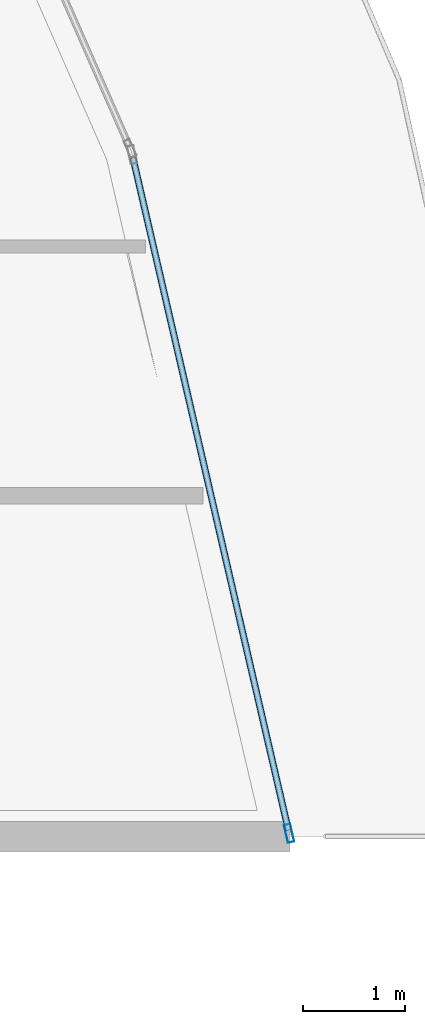
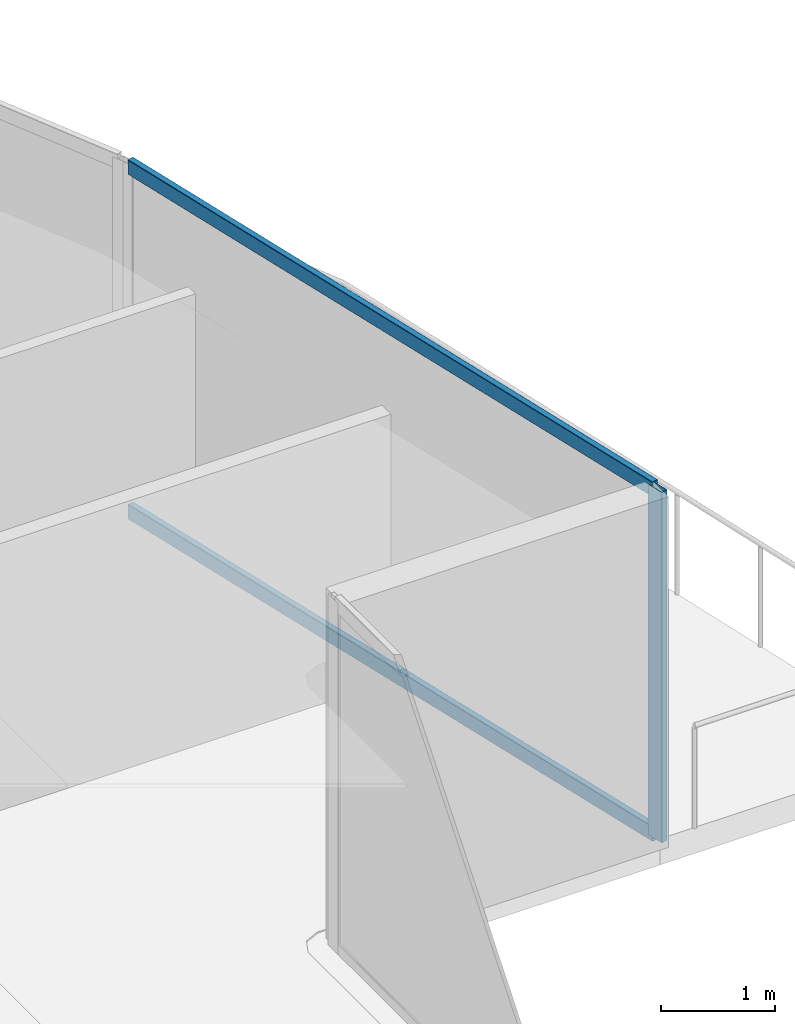
# One storey, part 26 of 45: 3 members, 1 element without a shape of its own.
"""IFC4 building model written with IfcOpenShell, lengths in metres."""

from ifc_helpers import new_model, si_unit, direction, frame, origin, origin_2d, place, context, subcontext, project, spatial, hollow_rectangle, extrude, material, layer, layer_set, material_profile, profile_set, type_object, element, aggregate, save


model = new_model("IFC4")

# Units and contexts
model_context = context("Model", 3, precision=1e-05, world=origin(), true_north=direction((0.0, 1.0)))
body_context = subcontext(model_context, "Body", "Model", "MODEL_VIEW")
ifc_project = project(units=[si_unit("LENGTHUNIT", "METRE"), si_unit("AREAUNIT", "SQUARE_METRE"), si_unit("VOLUMEUNIT", "CUBIC_METRE"), si_unit("PLANEANGLEUNIT", "RADIAN"), si_unit("MASSUNIT", "GRAM", prefix="KILO")], contexts=[model_context])

# Site, building, storey
site_placement = place(None, origin())
site = spatial("IfcSite", under=ifc_project, at=site_placement, CompositionType="ELEMENT")
building_placement = place(site_placement, origin())
building = spatial("IfcBuilding", under=site, at=building_placement, Name="Qorvath Tower", CompositionType="ELEMENT")
storey_placement = place(building_placement, frame((0.0, 0.0, 126.0)))
storey = spatial("IfcBuildingStorey", under=building, at=storey_placement, Name="L28", CompositionType="ELEMENT", Elevation=126.0)

# Curtain wall, members
ifc_material_1 = material(Name="Anodised aluminium and triple low-E glass", Category="aluminium")
ifc_layer = layer(ifc_material_1, 0.179931640625)
ifc_layer_set = layer_set([ifc_layer], Name="CW-SYS-2")
curtain_wall_type = type_object("IfcCurtainWallType", Name="CW-SYS-2", PredefinedType="NOTDEFINED", material=ifc_layer_set)
curtain_wall_placement = place(storey_placement, origin())
curtain_wall = element("IfcCurtainWall", 1, at=curtain_wall_placement, inside=storey, type_object=curtain_wall_type, Name="Curtain Wall CW-2 CW-T-L28-11.1", PredefinedType="NOTDEFINED")
ifc_material_2 = material(Name="Anodised aluminium 6063-T6", Category="aluminium")
ifc_material_profile_1 = material_profile(ifc_material_2, hollow_rectangle(XDim=0.06494140625, YDim=0.179931640625, WallThickness=0.00341796875, InnerFilletRadius=0.00341796875, OuterFilletRadius=0.007080078125, at=origin_2d()), Name="CWM 180x65")
ifc_profile_set_1 = profile_set([ifc_material_profile_1], Name="Anodised aluminium 6063-T6")
member_type_1 = type_object("IfcMemberType", Name="CWM-180", PredefinedType="MULLION", material=ifc_profile_set_1)
member_1_placement = place(storey_placement, frame((4.691650390625, 4.999755859375, 0.0), z_axis=(0.0, 0.0, 1.0), x_axis=(-0.974296356855, -0.225270080166, 0.0)))
member_1 = element("IfcMember", 2, at=member_1_placement, type_object=member_type_1, Name="CW-2 mullion 1", PredefinedType="MULLION", context=body_context, shape_type="SweptSolid", body=[
    extrude(hollow_rectangle(XDim=0.06494140625, YDim=0.179931640625, WallThickness=0.00341796875, InnerFilletRadius=0.00341796875, OuterFilletRadius=0.007080078125, at=origin_2d()), origin(), (0.0, 0.0, 1.0), 3.77001953125),
])
ifc_material_3 = material(Name="Anodised aluminium 6063-T6", Category="aluminium")
ifc_material_profile_2 = material_profile(ifc_material_3, hollow_rectangle(XDim=0.06494140625, YDim=0.159912109375, WallThickness=0.00341796875, InnerFilletRadius=0.00341796875, OuterFilletRadius=0.007080078125, at=origin_2d()), Name="CWT 160x65")
ifc_profile_set_2 = profile_set([ifc_material_profile_2], Name="Anodised aluminium 6063-T6")
member_type_2 = type_object("IfcMemberType", Name="CWT-160", PredefinedType="USERDEFINED", material=ifc_profile_set_2)
member_2_placement = place(storey_placement, frame((4.684326171875, 5.03125, 0.032470703125), z_axis=(-0.22526763041, 0.974296923268, 0.0), x_axis=(-0.974296923268, -0.22526763041, 0.0)))
member_2 = element("IfcMember", 3, at=member_2_placement, type_object=member_type_2, Name="CW-2 transom 1.1", ObjectType="TRANSOM", PredefinedType="USERDEFINED", context=body_context, shape_type="SweptSolid", body=[
    extrude(hollow_rectangle(XDim=0.06494140625, YDim=0.159912109375, WallThickness=0.00341796875, InnerFilletRadius=0.00341796875, OuterFilletRadius=0.007080078125, at=origin_2d()), origin(), (0.0, 0.0, 1.0), 6.771484375),
])
member_3_placement = place(storey_placement, frame((4.684326171875, 5.03125, 3.737548828125), z_axis=(-0.22526763041, 0.974296923268, 0.0), x_axis=(-0.974296923268, -0.22526763041, 0.0)))
member_3 = element("IfcMember", 4, at=member_3_placement, type_object=member_type_2, Name="CW-2 transom 1.2", ObjectType="TRANSOM", PredefinedType="USERDEFINED", context=body_context, shape_type="SweptSolid", body=[
    extrude(hollow_rectangle(XDim=0.06494140625, YDim=0.159912109375, WallThickness=0.00341796875, InnerFilletRadius=0.00341796875, OuterFilletRadius=0.007080078125, at=origin_2d()), origin(), (0.0, 0.0, 1.0), 6.771484375),
])
aggregate(curtain_wall, [member_1, member_2, member_3])

save(model, "model.ifc")
